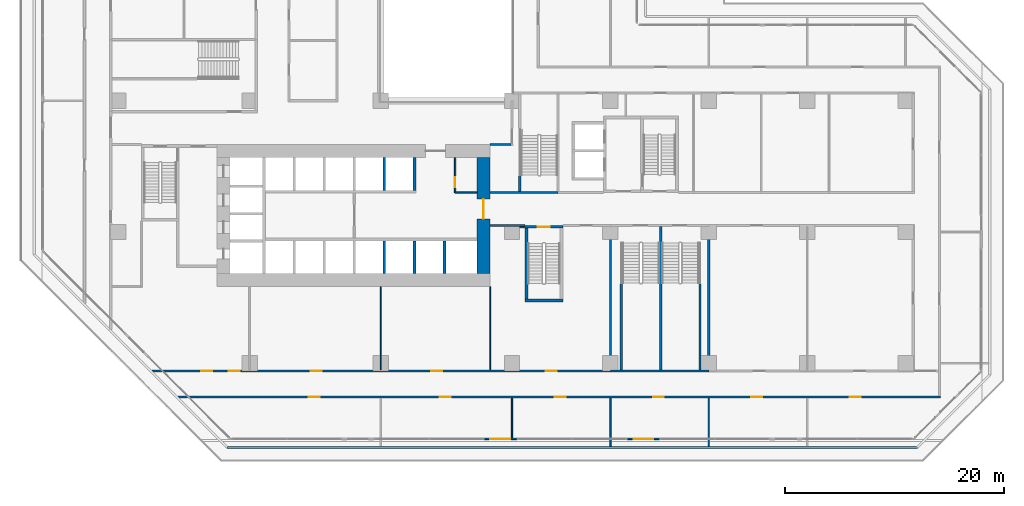
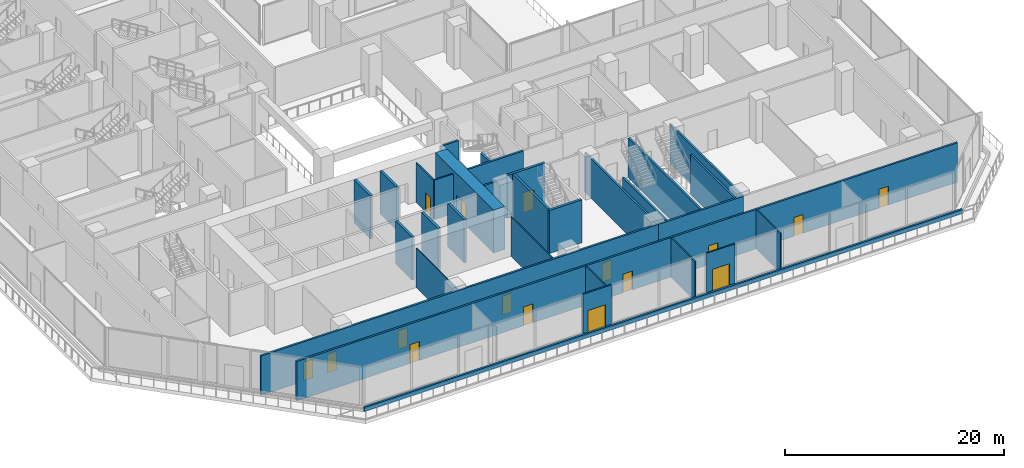
# One storey, part 12 of 25: 31 walls, 16 doors, 16 openings.
"""IFC4 building model written with IfcOpenShell, lengths in metres."""

from ifc_helpers import new_model, si_unit, direction, frame, frame_2d, origin, place, context, subcontext, project, spatial, rectangle, extrude, material, layer, layer_set, type_object, element, fill, save


model = new_model("IFC4")

# Units and contexts
model_context = context("Model", 3, precision=1e-05, world=origin(), true_north=direction((0.0, 1.0)))
body_context = subcontext(model_context, "Body", "Model", "MODEL_VIEW")
ifc_project = project(units=[si_unit("LENGTHUNIT", "METRE"), si_unit("AREAUNIT", "SQUARE_METRE"), si_unit("VOLUMEUNIT", "CUBIC_METRE"), si_unit("PLANEANGLEUNIT", "RADIAN"), si_unit("MASSUNIT", "GRAM", prefix="KILO")], contexts=[model_context])

# Site, building, storey
site_placement = place(None, origin())
site = spatial("IfcSite", under=ifc_project, at=site_placement, CompositionType="ELEMENT")
building_placement = place(site_placement, origin())
building = spatial("IfcBuilding", under=site, at=building_placement, Name="Chenar Terraces", CompositionType="ELEMENT")
storey_placement = place(building_placement, frame((0.0, 0.0, 21.60009765625)))
storey = spatial("IfcBuildingStorey", under=building, at=storey_placement, Name="L04", CompositionType="ELEMENT", Elevation=21.60009765625)

# Walls
ifc_material_1 = material(Name="Gypsum board on steel studs with mineral wool", Category="steel")
ifc_layer_1 = layer(ifc_material_1, 0.125)
ifc_layer_set_1 = layer_set([ifc_layer_1], Name="Gypsum board on steel studs with mineral wool")
wall_type_1 = type_object("IfcWallType", Name="Acoustic partition 125", PredefinedType="PARTITIONING", material=ifc_layer_set_1)
wall_1_placement = place(storey_placement, frame((36.0, -6.85107421875, 0.0), z_axis=(0.0, 0.0, 1.0), x_axis=(0.0, 1.0, 0.0)))
element("IfcWall", 1, at=wall_1_placement, inside=storey, type_object=wall_type_1, Name="Partition L04-074", PredefinedType="PARTITIONING", context=body_context, shape_type="SweptSolid", body=[
    extrude(rectangle(XDim=3.651123046875, YDim=0.125, at=frame_2d((1.82568359375, 0.0))), origin(), (0.0, 0.0, 1.0), 4.39990234375),
])
for number, where, z_axis, x_axis, name in (
    (2, (45.0, -7.60009765625, 0.0), (0.0, 0.0, 1.0), (0.0, 1.0, 0.0), "Partition L04-086"),
    (3, (54.0, -7.60009765625, 0.0), (0.0, 0.0, 1.0), (0.0, 1.0, 0.0), "Partition L04-095"),
):
    element("IfcWall", number, at=place(storey_placement, frame(where, z_axis=z_axis, x_axis=x_axis)), inside=storey, type_object=wall_type_1, Name=name, PredefinedType="PARTITIONING", context=body_context, shape_type="SweptSolid", body=[
        extrude(rectangle(XDim=4.400146484375, YDim=0.125, at=frame_2d((2.2001953125, 0.0))), origin(), (0.0, 0.0, 1.0), 4.39990234375),
    ])

# Wall, opening, door
ifc_material_2 = material(Name="Gypsum board on steel studs", Category="steel")
ifc_layer_2 = layer(ifc_material_2, 0.14990234375)
ifc_layer_set_2 = layer_set([ifc_layer_2], Name="Gypsum board on steel studs")
wall_type_2 = type_object("IfcWallType", Name="Core partition 150 gypsum board", PredefinedType="PARTITIONING", material=ifc_layer_set_2)
wall_2_placement = place(storey_placement, frame((30.800048828125, 15.60009765625, 0.0), z_axis=(0.0, 0.0, 1.0), x_axis=(0.0, 1.0, 0.0)))
wall_2 = element("IfcWall", 4, at=wall_2_placement, inside=storey, type_object=wall_type_2, Name="Core partition CP1 vestibule room west wall", PredefinedType="PARTITIONING", context=body_context, shape_type="SweptSolid", body=[
    extrude(rectangle(XDim=3.199951171875, YDim=0.14990234375, at=frame_2d((1.60009765625, 0.0))), origin(), (0.0, 0.0, 1.0), 4.39990234375),
])
opening_1_placement = place(wall_2_placement, frame((0.5, 0.0, 0.0)))
opening_1 = element("IfcOpeningElement", 5, at=opening_1_placement, cuts=wall_2, Name="Opening DL04-C13", PredefinedType="OPENING", context=body_context, shape_type="SweptSolid", body=[
    extrude(rectangle(XDim=0.89990234375, YDim=2.10009765625, at=frame_2d((0.449951171875, 1.050048828125))), frame((0.0, 0.0849609375, 0.0), z_axis=(0.0, -1.0, 0.0), x_axis=(1.0, 0.0, 0.0)), (0.0, 0.0, 1.0), 0.169921875),
])
ifc_material_3 = material(Name="Steel-framed fire-resisting door leaf", Category="steel")
door_type_1 = type_object("IfcDoorType", Name="Riser fire door FD60 900 x 2100", OperationType="SINGLE_SWING_LEFT", PredefinedType="DOOR", material=ifc_material_3)
door_1_placement = place(opening_1_placement, frame((0.89990234375, 0.0, 0.0), z_axis=(0.0, 0.0, 1.0), x_axis=(-1.0, 0.0, 0.0)))
door_1 = element("IfcDoor", 6, at=door_1_placement, inside=storey, type_object=door_type_1, Name="Core room door DL04-C13", OperationType="SINGLE_SWING_RIGHT", OverallHeight=2.10009765625, OverallWidth=0.89990234375, PredefinedType="DOOR", context=body_context, shape_type="SweptSolid", body=[
    extrude(rectangle(XDim=0.89990234375, YDim=2.10009765625, at=frame_2d((0.449951171875, 1.050048828125))), frame((0.0, 0.02490234375, 0.0), z_axis=(0.0, -1.0, 0.0), x_axis=(1.0, 0.0, 0.0)), (0.0, 0.0, 1.0), 0.050048828125),
])
fill(opening_1, door_1)

# Wall
wall_3_placement = place(storey_placement, frame((30.800048828125, 15.60009765625, 0.0), z_axis=(0.0, 0.0, 1.0), x_axis=(1.0, 0.0, 0.0)))
element("IfcWall", 7, at=wall_3_placement, inside=storey, type_object=wall_type_2, Name="Core partition CP1 vestibule room south wall", PredefinedType="PARTITIONING", context=body_context, shape_type="SweptSolid", body=[
    extrude(rectangle(XDim=2.0, YDim=0.14990234375, at=frame_2d((1.0, 0.0))), origin(), (0.0, 0.0, 1.0), 4.39990234375),
])

# Wall, opening, door
ifc_material_4 = material(Name="Concrete C70/85", Category="concrete")
ifc_layer_3 = layer(ifc_material_4, 1.199951171875)
ifc_layer_set_3 = layer_set([ifc_layer_3], Name="Concrete C70/85")
wall_type_3 = type_object("IfcWallType", Name="Core wall 1200 Concrete C70/85", PredefinedType="SHEAR", material=ifc_layer_set_3)
wall_4_placement = place(storey_placement, frame((33.39990234375, 8.199951171875, 0.0), z_axis=(0.0, 0.0, 1.0), x_axis=(0.0, 1.0, 0.0)))
wall_4 = element("IfcWall", 8, at=wall_4_placement, inside=storey, type_object=wall_type_3, Name="Core wall E L04", PredefinedType="SHEAR", context=body_context, shape_type="SweptSolid", body=[
    extrude(rectangle(XDim=10.60009765625, YDim=1.199951171875, at=frame_2d((5.300048828125, 0.0))), origin(), (0.0, 0.0, 1.0), 4.7998046875),
])
opening_2_placement = place(wall_4_placement, frame((5.0, 0.0, 0.0)))
opening_2 = element("IfcOpeningElement", 9, at=opening_2_placement, cuts=wall_4, Name="Opening DL04-C1", PredefinedType="OPENING", context=body_context, shape_type="SweptSolid", body=[
    extrude(rectangle(XDim=1.800048828125, YDim=2.39990234375, at=frame_2d((0.89990234375, 1.199951171875))), frame((0.0, 0.60986328125, 0.0), z_axis=(0.0, -1.0, 0.0), x_axis=(1.0, 0.0, 0.0)), (0.0, 0.0, 1.0), 1.219970703125),
])
ifc_material_5 = material(Name="Steel-framed fire-resisting door leaf", Category="steel")
door_type_2 = type_object("IfcDoorType", Name="Core entrance double fire door FD60 1800 x 2400", OperationType="DOUBLE_DOOR_SINGLE_SWING", PredefinedType="DOOR", material=ifc_material_5)
door_2_placement = place(opening_2_placement, origin())
door_2 = element("IfcDoor", 10, at=door_2_placement, inside=storey, type_object=door_type_2, Name="Core door DL04-C1", OperationType="DOUBLE_DOOR_SINGLE_SWING", OverallHeight=2.39990234375, OverallWidth=1.800048828125, PredefinedType="DOOR", context=body_context, shape_type="SweptSolid", body=[
    extrude(rectangle(XDim=1.800048828125, YDim=2.39990234375, at=frame_2d((0.89990234375, 1.199951171875))), frame((0.0, 0.02490234375, 0.0), z_axis=(0.0, -1.0, 0.0), x_axis=(1.0, 0.0, 0.0)), (0.0, 0.0, 1.0), 0.050048828125),
])
fill(opening_2, door_2)

# Walls
ifc_material_6 = material(Name="Concrete C70/85", Category="concrete")
ifc_layer_4 = layer(ifc_material_6, 0.25)
ifc_layer_set_4 = layer_set([ifc_layer_4], Name="Concrete C70/85")
wall_type_4 = type_object("IfcWallType", Name="Core wall 250 Concrete C70/85", PredefinedType="SHEAR", material=ifc_layer_set_4)
for number, where, z_axis, x_axis, name in (
    (11, (24.324951171875, 8.199951171875, 0.0), (0.0, 0.0, 1.0), (0.0, 1.0, 0.0), "Core wall SS3 L04"),
    (12, (27.074951171875, 8.199951171875, 0.0), (0.0, 0.0, 1.0), (0.0, 1.0, 0.0), "Core wall SS4 L04"),
    (13, (29.824951171875, 8.199951171875, 0.0), (0.0, 0.0, 1.0), (0.0, 1.0, 0.0), "Core wall SS5 L04"),
    (14, (24.324951171875, 15.800048828125, 0.0), (0.0, 0.0, 1.0), (0.0, 1.0, 0.0), "Core wall NS3 L04"),
    (15, (27.074951171875, 15.800048828125, 0.0), (0.0, 0.0, 1.0), (0.0, 1.0, 0.0), "Core wall NE L04"),
):
    element("IfcWall", number, at=place(storey_placement, frame(where, z_axis=z_axis, x_axis=x_axis)), inside=storey, type_object=wall_type_4, Name=name, PredefinedType="SHEAR", context=body_context, shape_type="SweptSolid", body=[
        extrude(rectangle(XDim=3.0, YDim=0.25, at=frame_2d((1.5, 0.0))), origin(), (0.0, 0.0, 1.0), 4.7998046875),
    ])
wall_5_placement = place(storey_placement, frame((37.199951171875, 5.72509765625, 0.0), z_axis=(0.0, 0.0, 1.0), x_axis=(1.0, 0.0, 0.0)))
element("IfcWall", 16, at=wall_5_placement, inside=storey, type_object=wall_type_4, Name="Core wall ST2_S L04", PredefinedType="SHEAR", context=body_context, shape_type="SweptSolid", body=[
    extrude(rectangle(XDim=3.449951171875, YDim=0.25, at=frame_2d((1.72509765625, 0.0))), origin(), (0.0, 0.0, 1.0), 4.7998046875),
])

# Wall, opening, door
wall_6_placement = place(storey_placement, frame((36.699951171875, 12.47509765625, 0.0), z_axis=(0.0, 0.0, 1.0), x_axis=(1.0, 0.0, 0.0)))
wall_6 = element("IfcWall", 17, at=wall_6_placement, inside=storey, type_object=wall_type_4, Name="Core wall ST2_N L04", PredefinedType="SHEAR", context=body_context, shape_type="SweptSolid", body=[
    extrude(rectangle(XDim=3.949951171875, YDim=0.25, at=frame_2d((1.97509765625, 0.0))), origin(), (0.0, 0.0, 1.0), 4.7998046875),
])
opening_3_placement = place(wall_6_placement, frame((1.675048828125, 0.0, 0.0)))
opening_3 = element("IfcOpeningElement", 18, at=opening_3_placement, cuts=wall_6, Name="Opening DL04-C7", PredefinedType="OPENING", context=body_context, shape_type="SweptSolid", body=[
    extrude(rectangle(XDim=1.10009765625, YDim=2.199951171875, at=frame_2d((0.550048828125, 1.10009765625))), frame((0.0, 0.135009765625, 0.0), z_axis=(0.0, -1.0, 0.0), x_axis=(1.0, 0.0, 0.0)), (0.0, 0.0, 1.0), 0.27001953125),
])
ifc_material_7 = material(Name="Steel-framed fire-resisting door leaf", Category="steel")
door_type_3 = type_object("IfcDoorType", Name="Stair fire door FD60 1100 x 2200", OperationType="SINGLE_SWING_LEFT", PredefinedType="DOOR", material=ifc_material_7)
door_3_placement = place(opening_3_placement, frame((1.10009765625, 0.0, 0.0), z_axis=(0.0, 0.0, 1.0), x_axis=(-1.0, 0.0, 0.0)))
door_3 = element("IfcDoor", 19, at=door_3_placement, inside=storey, type_object=door_type_3, Name="Stair door DL04-C7", OperationType="SINGLE_SWING_RIGHT", OverallHeight=2.199951171875, OverallWidth=1.10009765625, PredefinedType="DOOR", context=body_context, shape_type="SweptSolid", body=[
    extrude(rectangle(XDim=1.10009765625, YDim=2.199951171875, at=frame_2d((0.550048828125, 1.10009765625))), frame((0.0, 0.02490234375, 0.0), z_axis=(0.0, -1.0, 0.0), x_axis=(1.0, 0.0, 0.0)), (0.0, 0.0, 1.0), 0.050048828125),
])
fill(opening_3, door_3)

# Wall
wall_7_placement = place(storey_placement, frame((37.324951171875, 5.85009765625, 0.0), z_axis=(0.0, 0.0, 1.0), x_axis=(0.0, 1.0, 0.0)))
element("IfcWall", 20, at=wall_7_placement, inside=storey, type_object=wall_type_4, Name="Core wall ST2_W L04", PredefinedType="SHEAR", context=body_context, shape_type="SweptSolid", body=[
    extrude(rectangle(XDim=6.5, YDim=0.25, at=frame_2d((3.25, 0.0))), origin(), (0.0, 0.0, 1.0), 4.7998046875),
])

# Wall, openings, doors
ifc_material_8 = material(Name="Gypsum board on steel studs with fire boards", Category="steel")
ifc_layer_5 = layer(ifc_material_8, 0.199951171875)
ifc_layer_set_5 = layer_set([ifc_layer_5], Name="Gypsum board on steel studs with fire boards")
wall_type_5 = type_object("IfcWallType", Name="Corridor wall 200", PredefinedType="PARTITIONING", material=ifc_layer_set_5)
wall_8_placement = place(storey_placement, frame((3.0732421875, -0.699951171875, 0.0), z_axis=(0.0, 0.0, 1.0), x_axis=(1.0, 0.0, 0.0)))
wall_8 = element("IfcWall", 21, at=wall_8_placement, inside=storey, type_object=wall_type_5, Name="Partition L04-029", PredefinedType="PARTITIONING", context=body_context, shape_type="SweptSolid", body=[
    extrude(rectangle(XDim=41.9267578125, YDim=0.199951171875, at=frame_2d((20.96337890625, 0.0))), origin(), (0.0, 0.0, 1.0), 4.39990234375),
])
opening_4_placement = place(wall_8_placement, frame((36.027099609375, 0.0, 0.0)))
opening_4 = element("IfcOpeningElement", 22, at=opening_4_placement, cuts=wall_8, Name="Opening DL04-6", PredefinedType="OPENING", context=body_context, shape_type="SweptSolid", body=[
    extrude(rectangle(XDim=1.0, YDim=2.10009765625, at=frame_2d((0.5, 1.050048828125))), frame((0.0, 0.10986328125, 0.0), z_axis=(0.0, -1.0, 0.0), x_axis=(1.0, 0.0, 0.0)), (0.0, 0.0, 1.0), 0.219970703125),
])
opening_5_placement = place(wall_8_placement, frame((4.527099609375, 0.0, 0.0)))
opening_5 = element("IfcOpeningElement", 23, at=opening_5_placement, cuts=wall_8, Name="Opening DL04-35", PredefinedType="OPENING", context=body_context, shape_type="SweptSolid", body=[
    extrude(rectangle(XDim=1.0, YDim=2.10009765625, at=frame_2d((0.5, 1.050048828125))), frame((0.0, 0.10986328125, 0.0), z_axis=(0.0, -1.0, 0.0), x_axis=(1.0, 0.0, 0.0)), (0.0, 0.0, 1.0), 0.219970703125),
])
opening_6_placement = place(wall_8_placement, frame((7.027099609375, 0.0, 0.0)))
opening_6 = element("IfcOpeningElement", 24, at=opening_6_placement, cuts=wall_8, Name="Opening DL04-36", PredefinedType="OPENING", context=body_context, shape_type="SweptSolid", body=[
    extrude(rectangle(XDim=1.0, YDim=2.10009765625, at=frame_2d((0.5, 1.050048828125))), frame((0.0, 0.10986328125, 0.0), z_axis=(0.0, -1.0, 0.0), x_axis=(1.0, 0.0, 0.0)), (0.0, 0.0, 1.0), 0.219970703125),
])
opening_7_placement = place(wall_8_placement, frame((14.527099609375, 0.0, 0.0)))
opening_7 = element("IfcOpeningElement", 25, at=opening_7_placement, cuts=wall_8, Name="Opening DL04-37", PredefinedType="OPENING", context=body_context, shape_type="SweptSolid", body=[
    extrude(rectangle(XDim=1.0, YDim=2.10009765625, at=frame_2d((0.5, 1.050048828125))), frame((0.0, 0.10986328125, 0.0), z_axis=(0.0, -1.0, 0.0), x_axis=(1.0, 0.0, 0.0)), (0.0, 0.0, 1.0), 0.219970703125),
])
opening_8_placement = place(wall_8_placement, frame((25.527099609375, 0.0, 0.0)))
opening_8 = element("IfcOpeningElement", 26, at=opening_8_placement, cuts=wall_8, Name="Opening DL04-38", PredefinedType="OPENING", context=body_context, shape_type="SweptSolid", body=[
    extrude(rectangle(XDim=1.0, YDim=2.10009765625, at=frame_2d((0.5, 1.050048828125))), frame((0.0, 0.10986328125, 0.0), z_axis=(0.0, -1.0, 0.0), x_axis=(1.0, 0.0, 0.0)), (0.0, 0.0, 1.0), 0.219970703125),
])
ifc_material_9 = material(Name="Steel-framed fire-resisting door leaf", Category="steel")
door_type_4 = type_object("IfcDoorType", Name="Fire door FD60 1000 x 2100", OperationType="SINGLE_SWING_LEFT", PredefinedType="DOOR", material=ifc_material_9)
door_4_placement = place(opening_4_placement, origin())
door_4 = element("IfcDoor", 27, at=door_4_placement, inside=storey, type_object=door_type_4, Name="Door DL04-6", OperationType="SINGLE_SWING_RIGHT", OverallHeight=2.10009765625, OverallWidth=1.0, PredefinedType="DOOR", context=body_context, shape_type="SweptSolid", body=[
    extrude(rectangle(XDim=1.0, YDim=2.10009765625, at=frame_2d((0.5, 1.050048828125))), frame((0.0, 0.02490234375, 0.0), z_axis=(0.0, -1.0, 0.0), x_axis=(1.0, 0.0, 0.0)), (0.0, 0.0, 1.0), 0.050048828125),
])
fill(opening_4, door_4)
door_5_placement = place(opening_5_placement, frame((1.0, 0.0, 0.0), z_axis=(0.0, 0.0, 1.0), x_axis=(-1.0, 0.0, 0.0)))
door_5 = element("IfcDoor", 28, at=door_5_placement, inside=storey, type_object=door_type_4, Name="Door DL04-35", OperationType="SINGLE_SWING_RIGHT", OverallHeight=2.10009765625, OverallWidth=1.0, PredefinedType="DOOR", context=body_context, shape_type="SweptSolid", body=[
    extrude(rectangle(XDim=1.0, YDim=2.10009765625, at=frame_2d((0.5, 1.050048828125))), frame((0.0, 0.02490234375, 0.0), z_axis=(0.0, -1.0, 0.0), x_axis=(1.0, 0.0, 0.0)), (0.0, 0.0, 1.0), 0.050048828125),
])
fill(opening_5, door_5)
door_6_placement = place(opening_6_placement, frame((1.0, 0.0, 0.0), z_axis=(0.0, 0.0, 1.0), x_axis=(-1.0, 0.0, 0.0)))
door_6 = element("IfcDoor", 29, at=door_6_placement, inside=storey, type_object=door_type_4, Name="Door DL04-36", OperationType="SINGLE_SWING_LEFT", OverallHeight=2.10009765625, OverallWidth=1.0, PredefinedType="DOOR", context=body_context, shape_type="SweptSolid", body=[
    extrude(rectangle(XDim=1.0, YDim=2.10009765625, at=frame_2d((0.5, 1.050048828125))), frame((0.0, 0.02490234375, 0.0), z_axis=(0.0, -1.0, 0.0), x_axis=(1.0, 0.0, 0.0)), (0.0, 0.0, 1.0), 0.050048828125),
])
fill(opening_6, door_6)
door_7_placement = place(opening_7_placement, origin())
door_7 = element("IfcDoor", 30, at=door_7_placement, inside=storey, type_object=door_type_4, Name="Door DL04-37", OperationType="SINGLE_SWING_LEFT", OverallHeight=2.10009765625, OverallWidth=1.0, PredefinedType="DOOR", context=body_context, shape_type="SweptSolid", body=[
    extrude(rectangle(XDim=1.0, YDim=2.10009765625, at=frame_2d((0.5, 1.050048828125))), frame((0.0, 0.02490234375, 0.0), z_axis=(0.0, -1.0, 0.0), x_axis=(1.0, 0.0, 0.0)), (0.0, 0.0, 1.0), 0.050048828125),
])
fill(opening_7, door_7)
door_8_placement = place(opening_8_placement, origin())
door_8 = element("IfcDoor", 31, at=door_8_placement, inside=storey, type_object=door_type_4, Name="Door DL04-38", OperationType="SINGLE_SWING_LEFT", OverallHeight=2.10009765625, OverallWidth=1.0, PredefinedType="DOOR", context=body_context, shape_type="SweptSolid", body=[
    extrude(rectangle(XDim=1.0, YDim=2.10009765625, at=frame_2d((0.5, 1.050048828125))), frame((0.0, 0.02490234375, 0.0), z_axis=(0.0, -1.0, 0.0), x_axis=(1.0, 0.0, 0.0)), (0.0, 0.0, 1.0), 0.050048828125),
])
fill(opening_8, door_8)

wall_9_placement = place(storey_placement, frame((5.473388671875, -3.10009765625, 0.0), z_axis=(0.0, 0.0, 1.0), x_axis=(1.0, 0.0, 0.0)))
wall_9 = element("IfcWall", 32, at=wall_9_placement, inside=storey, type_object=wall_type_5, Name="Partition L04-035", PredefinedType="PARTITIONING", context=body_context, shape_type="SweptSolid", body=[
    extrude(rectangle(XDim=69.7265625, YDim=0.199951171875, at=frame_2d((34.86328125, 0.0))), origin(), (0.0, 0.0, 1.0), 4.39990234375),
])
opening_9_placement = place(wall_9_placement, frame((11.927001953125, 0.0, 0.0)))
opening_9 = element("IfcOpeningElement", 33, at=opening_9_placement, cuts=wall_9, Name="Opening DL04-43", PredefinedType="OPENING", context=body_context, shape_type="SweptSolid", body=[
    extrude(rectangle(XDim=1.0, YDim=2.10009765625, at=frame_2d((0.5, 1.050048828125))), frame((0.0, 0.10986328125, 0.0), z_axis=(0.0, -1.0, 0.0), x_axis=(1.0, 0.0, 0.0)), (0.0, 0.0, 1.0), 0.219970703125),
])
opening_10_placement = place(wall_9_placement, frame((23.927001953125, 0.0, 0.0)))
opening_10 = element("IfcOpeningElement", 34, at=opening_10_placement, cuts=wall_9, Name="Opening DL04-44", PredefinedType="OPENING", context=body_context, shape_type="SweptSolid", body=[
    extrude(rectangle(XDim=1.0, YDim=2.10009765625, at=frame_2d((0.5, 1.050048828125))), frame((0.0, 0.10986328125, 0.0), z_axis=(0.0, -1.0, 0.0), x_axis=(1.0, 0.0, 0.0)), (0.0, 0.0, 1.0), 0.219970703125),
])
opening_11_placement = place(wall_9_placement, frame((34.427001953125, 0.0, 0.0)))
opening_11 = element("IfcOpeningElement", 35, at=opening_11_placement, cuts=wall_9, Name="Opening DL04-45", PredefinedType="OPENING", context=body_context, shape_type="SweptSolid", body=[
    extrude(rectangle(XDim=1.0, YDim=2.10009765625, at=frame_2d((0.5, 1.050048828125))), frame((0.0, 0.10986328125, 0.0), z_axis=(0.0, -1.0, 0.0), x_axis=(1.0, 0.0, 0.0)), (0.0, 0.0, 1.0), 0.219970703125),
])
opening_12_placement = place(wall_9_placement, frame((43.427001953125, 0.0, 0.0)))
opening_12 = element("IfcOpeningElement", 36, at=opening_12_placement, cuts=wall_9, Name="Opening DL04-46", PredefinedType="OPENING", context=body_context, shape_type="SweptSolid", body=[
    extrude(rectangle(XDim=1.0, YDim=2.10009765625, at=frame_2d((0.5, 1.050048828125))), frame((0.0, 0.10986328125, 0.0), z_axis=(0.0, -1.0, 0.0), x_axis=(1.0, 0.0, 0.0)), (0.0, 0.0, 1.0), 0.219970703125),
])
opening_13_placement = place(wall_9_placement, frame((52.427001953125, 0.0, 0.0)))
opening_13 = element("IfcOpeningElement", 37, at=opening_13_placement, cuts=wall_9, Name="Opening DL04-47", PredefinedType="OPENING", context=body_context, shape_type="SweptSolid", body=[
    extrude(rectangle(XDim=1.0, YDim=2.10009765625, at=frame_2d((0.5, 1.050048828125))), frame((0.0, 0.10986328125, 0.0), z_axis=(0.0, -1.0, 0.0), x_axis=(1.0, 0.0, 0.0)), (0.0, 0.0, 1.0), 0.219970703125),
])
opening_14_placement = place(wall_9_placement, frame((61.427001953125, 0.0, 0.0)))
opening_14 = element("IfcOpeningElement", 38, at=opening_14_placement, cuts=wall_9, Name="Opening DL04-48", PredefinedType="OPENING", context=body_context, shape_type="SweptSolid", body=[
    extrude(rectangle(XDim=1.0, YDim=2.10009765625, at=frame_2d((0.5, 1.050048828125))), frame((0.0, 0.10986328125, 0.0), z_axis=(0.0, -1.0, 0.0), x_axis=(1.0, 0.0, 0.0)), (0.0, 0.0, 1.0), 0.219970703125),
])
door_9_placement = place(opening_9_placement, frame((1.0, 0.0, 0.0), z_axis=(0.0, 0.0, 1.0), x_axis=(-1.0, 0.0, 0.0)))
door_9 = element("IfcDoor", 39, at=door_9_placement, inside=storey, type_object=door_type_4, Name="Door DL04-43", OperationType="SINGLE_SWING_RIGHT", OverallHeight=2.10009765625, OverallWidth=1.0, PredefinedType="DOOR", context=body_context, shape_type="SweptSolid", body=[
    extrude(rectangle(XDim=1.0, YDim=2.10009765625, at=frame_2d((0.5, 1.050048828125))), frame((0.0, 0.02490234375, 0.0), z_axis=(0.0, -1.0, 0.0), x_axis=(1.0, 0.0, 0.0)), (0.0, 0.0, 1.0), 0.050048828125),
])
fill(opening_9, door_9)
door_10_placement = place(opening_10_placement, frame((1.0, 0.0, 0.0), z_axis=(0.0, 0.0, 1.0), x_axis=(-1.0, 0.0, 0.0)))
door_10 = element("IfcDoor", 40, at=door_10_placement, inside=storey, type_object=door_type_4, Name="Door DL04-44", OperationType="SINGLE_SWING_RIGHT", OverallHeight=2.10009765625, OverallWidth=1.0, PredefinedType="DOOR", context=body_context, shape_type="SweptSolid", body=[
    extrude(rectangle(XDim=1.0, YDim=2.10009765625, at=frame_2d((0.5, 1.050048828125))), frame((0.0, 0.02490234375, 0.0), z_axis=(0.0, -1.0, 0.0), x_axis=(1.0, 0.0, 0.0)), (0.0, 0.0, 1.0), 0.050048828125),
])
fill(opening_10, door_10)
door_11_placement = place(opening_11_placement, frame((1.0, 0.0, 0.0), z_axis=(0.0, 0.0, 1.0), x_axis=(-1.0, 0.0, 0.0)))
door_11 = element("IfcDoor", 41, at=door_11_placement, inside=storey, type_object=door_type_4, Name="Door DL04-45", OperationType="SINGLE_SWING_LEFT", OverallHeight=2.10009765625, OverallWidth=1.0, PredefinedType="DOOR", context=body_context, shape_type="SweptSolid", body=[
    extrude(rectangle(XDim=1.0, YDim=2.10009765625, at=frame_2d((0.5, 1.050048828125))), frame((0.0, 0.02490234375, 0.0), z_axis=(0.0, -1.0, 0.0), x_axis=(1.0, 0.0, 0.0)), (0.0, 0.0, 1.0), 0.050048828125),
])
fill(opening_11, door_11)
door_12_placement = place(opening_12_placement, frame((1.0, 0.0, 0.0), z_axis=(0.0, 0.0, 1.0), x_axis=(-1.0, 0.0, 0.0)))
door_12 = element("IfcDoor", 42, at=door_12_placement, inside=storey, type_object=door_type_4, Name="Door DL04-46", OperationType="SINGLE_SWING_LEFT", OverallHeight=2.10009765625, OverallWidth=1.0, PredefinedType="DOOR", context=body_context, shape_type="SweptSolid", body=[
    extrude(rectangle(XDim=1.0, YDim=2.10009765625, at=frame_2d((0.5, 1.050048828125))), frame((0.0, 0.02490234375, 0.0), z_axis=(0.0, -1.0, 0.0), x_axis=(1.0, 0.0, 0.0)), (0.0, 0.0, 1.0), 0.050048828125),
])
fill(opening_12, door_12)
door_13_placement = place(opening_13_placement, frame((1.0, 0.0, 0.0), z_axis=(0.0, 0.0, 1.0), x_axis=(-1.0, 0.0, 0.0)))
door_13 = element("IfcDoor", 43, at=door_13_placement, inside=storey, type_object=door_type_4, Name="Door DL04-47", OperationType="SINGLE_SWING_LEFT", OverallHeight=2.10009765625, OverallWidth=1.0, PredefinedType="DOOR", context=body_context, shape_type="SweptSolid", body=[
    extrude(rectangle(XDim=1.0, YDim=2.10009765625, at=frame_2d((0.5, 1.050048828125))), frame((0.0, 0.02490234375, 0.0), z_axis=(0.0, -1.0, 0.0), x_axis=(1.0, 0.0, 0.0)), (0.0, 0.0, 1.0), 0.050048828125),
])
fill(opening_13, door_13)
door_14_placement = place(opening_14_placement, frame((1.0, 0.0, 0.0), z_axis=(0.0, 0.0, 1.0), x_axis=(-1.0, 0.0, 0.0)))
door_14 = element("IfcDoor", 44, at=door_14_placement, inside=storey, type_object=door_type_4, Name="Door DL04-48", OperationType="SINGLE_SWING_LEFT", OverallHeight=2.10009765625, OverallWidth=1.0, PredefinedType="DOOR", context=body_context, shape_type="SweptSolid", body=[
    extrude(rectangle(XDim=1.0, YDim=2.10009765625, at=frame_2d((0.5, 1.050048828125))), frame((0.0, 0.02490234375, 0.0), z_axis=(0.0, -1.0, 0.0), x_axis=(1.0, 0.0, 0.0)), (0.0, 0.0, 1.0), 0.050048828125),
])
fill(opening_14, door_14)

# Walls
wall_10_placement = place(storey_placement, frame((34.0, 12.60009765625, 0.0), z_axis=(0.0, 0.0, 1.0), x_axis=(1.0, 0.0, 0.0)))
element("IfcWall", 45, at=wall_10_placement, inside=storey, type_object=wall_type_5, Name="Partition L04-071", PredefinedType="PARTITIONING", context=body_context, shape_type="SweptSolid", body=[
    extrude(rectangle(XDim=3.199951171875, YDim=0.199951171875, at=frame_2d((1.60009765625, 0.0))), origin(), (0.0, 0.0, 1.0), 4.39990234375),
])
ifc_material_10 = material(Name="Gypsum board on steel studs", Category="steel")
ifc_layer_6 = layer(ifc_material_10, 0.10009765625)
ifc_layer_set_6 = layer_set([ifc_layer_6], Name="Gypsum board on steel studs")
wall_type_6 = type_object("IfcWallType", Name="Gypsum partition 100", PredefinedType="PARTITIONING", material=ifc_layer_set_6)
for number, where, z_axis, x_axis, name in (
    (46, (24.0, -0.60009765625, 0.0), (0.0, 0.0, 1.0), (0.0, 1.0, 0.0), "Partition L04-063"),
    (47, (34.0, -0.60009765625, 0.0), (0.0, 0.0, 1.0), (0.0, 1.0, 0.0), "Partition L04-070"),
):
    element("IfcWall", number, at=place(storey_placement, frame(where, z_axis=z_axis, x_axis=x_axis)), inside=storey, type_object=wall_type_6, Name=name, PredefinedType="PARTITIONING", context=body_context, shape_type="SweptSolid", body=[
        extrude(rectangle(XDim=7.60009765625, YDim=0.10009765625, at=frame_2d((3.800048828125, 0.0))), origin(), (0.0, 0.0, 1.0), 4.39990234375),
    ])

# Wall, opening, door
ifc_material_11 = material(Name="Aluminium framed glazing", Category="aluminium")
ifc_layer_7 = layer(ifc_material_11, 0.14990234375)
ifc_layer_set_7 = layer_set([ifc_layer_7], Name="Aluminium framed glazing")
wall_type_7 = type_object("IfcWallType", Name="Podium glazed wall 150", PredefinedType="SOLIDWALL", material=ifc_layer_set_7)
wall_11_placement = place(storey_placement, frame((33.474365234375, -6.925048828125, 0.0), z_axis=(0.0, 0.0, 1.0), x_axis=(1.0, 0.0, 0.0)))
wall_11 = element("IfcWall", 48, at=wall_11_placement, inside=storey, type_object=wall_type_7, Name="Podium glazed wall", PredefinedType="SOLIDWALL", context=body_context, shape_type="SweptSolid", body=[
    extrude(rectangle(XDim=3.0, YDim=0.14990234375, at=frame_2d((1.5, 0.0))), origin(), (0.0, 0.0, 1.0), 4.39990234375),
])
opening_15_placement = place(wall_11_placement, frame((0.550048828125, 0.0, 0.0)))
opening_15 = element("IfcOpeningElement", 49, at=opening_15_placement, cuts=wall_11, Name="Opening DL04-T2", PredefinedType="OPENING", context=body_context, shape_type="SweptSolid", body=[
    extrude(rectangle(XDim=1.800048828125, YDim=2.39990234375, at=frame_2d((0.89990234375, 1.199951171875))), frame((0.0, 0.0849609375, 0.0), z_axis=(0.0, -1.0, 0.0), x_axis=(1.0, 0.0, 0.0)), (0.0, 0.0, 1.0), 0.169921875),
])
ifc_material_12 = material(Name="Low emissivity double glazing, aluminium frame", Category="aluminium")
door_type_5 = type_object("IfcDoorType", Name="Terrace glazed double door 1800 x 2400", OperationType="DOUBLE_DOOR_SINGLE_SWING", PredefinedType="DOOR", material=ifc_material_12)
door_15_placement = place(opening_15_placement, origin())
door_15 = element("IfcDoor", 50, at=door_15_placement, inside=storey, type_object=door_type_5, Name="Terrace glazed door", OperationType="DOUBLE_DOOR_SINGLE_SWING", OverallHeight=2.39990234375, OverallWidth=1.800048828125, PredefinedType="DOOR", context=body_context, shape_type="SweptSolid", body=[
    extrude(rectangle(XDim=1.800048828125, YDim=2.39990234375, at=frame_2d((0.89990234375, 1.199951171875))), frame((0.0, 0.02490234375, 0.0), z_axis=(0.0, -1.0, 0.0), x_axis=(1.0, 0.0, 0.0)), (0.0, 0.0, 1.0), 0.050048828125),
])
fill(opening_15, door_15)

wall_12_placement = place(storey_placement, frame((46.525634765625, -6.925048828125, 0.0), z_axis=(0.0, 0.0, 1.0), x_axis=(1.0, 0.0, 0.0)))
wall_12 = element("IfcWall", 51, at=wall_12_placement, inside=storey, type_object=wall_type_7, Name="Podium glazed wall", PredefinedType="SOLIDWALL", context=body_context, shape_type="SweptSolid", body=[
    extrude(rectangle(XDim=3.0, YDim=0.14990234375, at=frame_2d((1.5, 0.0))), origin(), (0.0, 0.0, 1.0), 4.39990234375),
])
opening_16_placement = place(wall_12_placement, frame((0.60009765625, 0.0, 0.0)))
opening_16 = element("IfcOpeningElement", 52, at=opening_16_placement, cuts=wall_12, Name="Opening DL04-T3", PredefinedType="OPENING", context=body_context, shape_type="SweptSolid", body=[
    extrude(rectangle(XDim=1.800048828125, YDim=2.39990234375, at=frame_2d((0.89990234375, 1.199951171875))), frame((0.0, 0.0849609375, 0.0), z_axis=(0.0, -1.0, 0.0), x_axis=(1.0, 0.0, 0.0)), (0.0, 0.0, 1.0), 0.169921875),
])
door_16_placement = place(opening_16_placement, origin())
door_16 = element("IfcDoor", 53, at=door_16_placement, inside=storey, type_object=door_type_5, Name="Terrace glazed door", OperationType="DOUBLE_DOOR_SINGLE_SWING", OverallHeight=2.39990234375, OverallWidth=1.800048828125, PredefinedType="DOOR", context=body_context, shape_type="SweptSolid", body=[
    extrude(rectangle(XDim=1.800048828125, YDim=2.39990234375, at=frame_2d((0.89990234375, 1.199951171875))), frame((0.0, 0.02490234375, 0.0), z_axis=(0.0, -1.0, 0.0), x_axis=(1.0, 0.0, 0.0)), (0.0, 0.0, 1.0), 0.050048828125),
])
fill(opening_16, door_16)

# Walls
ifc_material_13 = material(Name="Reinforced concrete C40/50", Category="concrete")
ifc_layer_8 = layer(ifc_material_13, 0.199951171875)
ifc_layer_set_8 = layer_set([ifc_layer_8], Name="Reinforced concrete C40/50")
wall_type_8 = type_object("IfcWallType", Name="Stair enclosure wall 200 concrete", PredefinedType="SOLIDWALL", material=ifc_layer_set_8)
wall_13_placement = place(storey_placement, frame((34.0, 15.60009765625, 0.0), z_axis=(0.0, 0.0, 1.0), x_axis=(1.0, 0.0, 0.0)))
element("IfcWall", 54, at=wall_13_placement, inside=storey, type_object=wall_type_8, Name="Stair enclosure wall L04-072", PredefinedType="SOLIDWALL", context=body_context, shape_type="SweptSolid", body=[
    extrude(rectangle(XDim=6.199951171875, YDim=0.199951171875, at=frame_2d((3.10009765625, 0.0))), origin(), (0.0, 0.0, 1.0), 4.39990234375),
])
wall_14_placement = place(storey_placement, frame((34.0, 20.0, 0.0), z_axis=(0.0, 0.0, 1.0), x_axis=(1.0, 0.0, 0.0)))
element("IfcWall", 55, at=wall_14_placement, inside=storey, type_object=wall_type_8, Name="Stair enclosure wall L04-073", PredefinedType="SOLIDWALL", context=body_context, shape_type="SweptSolid", body=[
    extrude(rectangle(XDim=1.89990234375, YDim=0.199951171875, at=frame_2d((0.949951171875, 0.0))), origin(), (0.0, 0.0, 1.0), 4.39990234375),
])
wall_15_placement = place(storey_placement, frame((45.0, -0.699951171875, 0.0), z_axis=(0.0, 0.0, 1.0), x_axis=(1.0, 0.0, 0.0)))
element("IfcWall", 56, at=wall_15_placement, inside=storey, type_object=wall_type_8, Name="Stair enclosure wall L04-087", PredefinedType="SOLIDWALL", context=body_context, shape_type="SweptSolid", body=[
    extrude(rectangle(XDim=9.0, YDim=0.199951171875, at=frame_2d((4.5, 0.0))), origin(), (0.0, 0.0, 1.0), 4.39990234375),
])
for number, where, z_axis, x_axis, name in (
    (57, (45.0, -0.60009765625, 0.0), (0.0, 0.0, 1.0), (0.0, 1.0, 0.0), "Stair enclosure wall L04-088"),
    (58, (49.60009765625, -0.60009765625, 0.0), (0.0, 0.0, 1.0), (0.0, 1.0, 0.0), "Stair enclosure wall L04-092"),
    (59, (54.0, -0.60009765625, 0.0), (0.0, 0.0, 1.0), (0.0, 1.0, 0.0), "Stair enclosure wall L04-097"),
):
    element("IfcWall", number, at=place(storey_placement, frame(where, z_axis=z_axis, x_axis=x_axis)), inside=storey, type_object=wall_type_8, Name=name, PredefinedType="SOLIDWALL", context=body_context, shape_type="SweptSolid", body=[
        extrude(rectangle(XDim=13.10009765625, YDim=0.199951171875, at=frame_2d((6.550048828125, 0.0))), origin(), (0.0, 0.0, 1.0), 4.39990234375),
    ])
wall_16_placement = place(storey_placement, frame((36.715087890625, 15.699951171875, 0.0), z_axis=(0.0, 0.0, 1.0), x_axis=(0.0, 1.0, 0.0)))
element("IfcWall", 60, at=wall_16_placement, inside=storey, type_object=wall_type_8, Name="Stair enclosure wall L04-PS1-008", PredefinedType="SOLIDWALL", context=body_context, shape_type="SweptSolid", body=[
    extrude(rectangle(XDim=1.5, YDim=0.199951171875, at=frame_2d((0.75, 0.0))), origin(), (0.0, 0.0, 1.0), 4.39990234375),
])
for number, where, z_axis, x_axis, name in (
    (61, (53.199951171875, -0.60009765625, 0.0), (0.0, 0.0, 1.0), (0.0, 1.0, 0.0), "Stair enclosure wall L04-PS2-017"),
    (62, (46.0, -0.60009765625, 0.0), (0.0, 0.0, 1.0), (0.0, 1.0, 0.0), "Stair enclosure wall L04-PS6-038"),
):
    element("IfcWall", number, at=place(storey_placement, frame(where, z_axis=z_axis, x_axis=x_axis)), inside=storey, type_object=wall_type_8, Name=name, PredefinedType="SOLIDWALL", context=body_context, shape_type="SweptSolid", body=[
        extrude(rectangle(XDim=7.945068359375, YDim=0.199951171875, at=frame_2d((3.97265625, 0.0))), origin(), (0.0, 0.0, 1.0), 4.39990234375),
    ])
ifc_material_14 = material(Name="Terracotta cladding on insulated backing", Category="masonry")
ifc_layer_9 = layer(ifc_material_14, 0.199951171875)
ifc_layer_set_9 = layer_set([ifc_layer_9], Name="Terracotta cladding on insulated backing")
wall_type_9 = type_object("IfcWallType", Name="Terrace parapet upstand 200", PredefinedType="PARAPET", material=ifc_layer_set_9)
wall_17_placement = place(storey_placement, frame((73.068115234375, -7.699951171875, 0.0), z_axis=(0.0, 0.0, 1.0), x_axis=(-1.0, 0.0, 0.0)))
element("IfcWall", 63, at=wall_17_placement, inside=storey, type_object=wall_type_9, Name="Terrace parapet", PredefinedType="PARAPET", context=body_context, shape_type="SweptSolid", body=[
    extrude(rectangle(XDim=63.13623046875, YDim=0.199951171875, at=frame_2d((31.568115234375, 0.0))), origin(), (0.0, 0.0, 1.0), 0.5),
])

save(model, "model.ifc")
